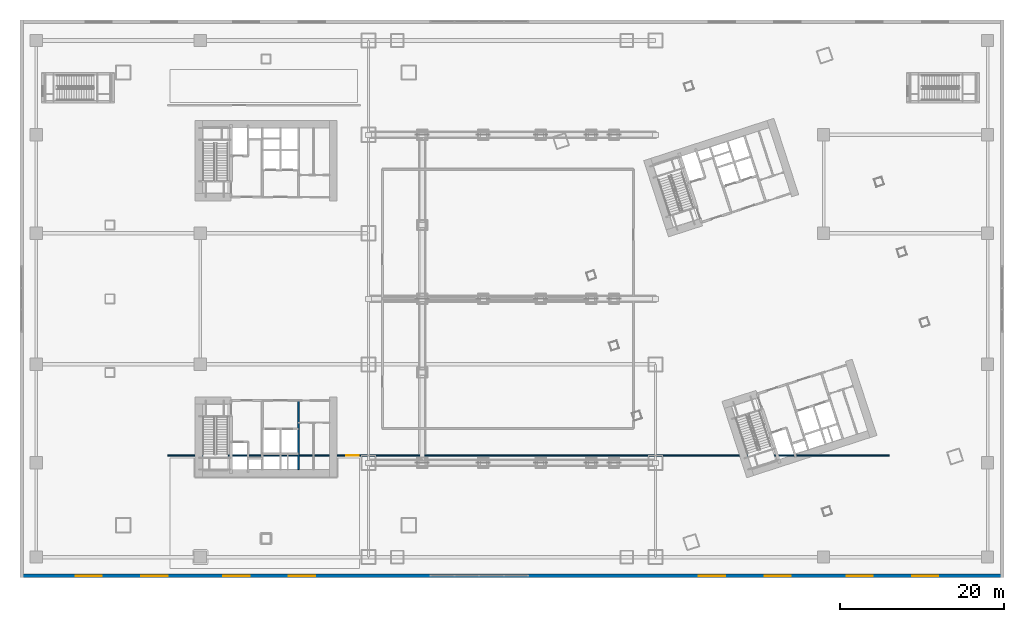
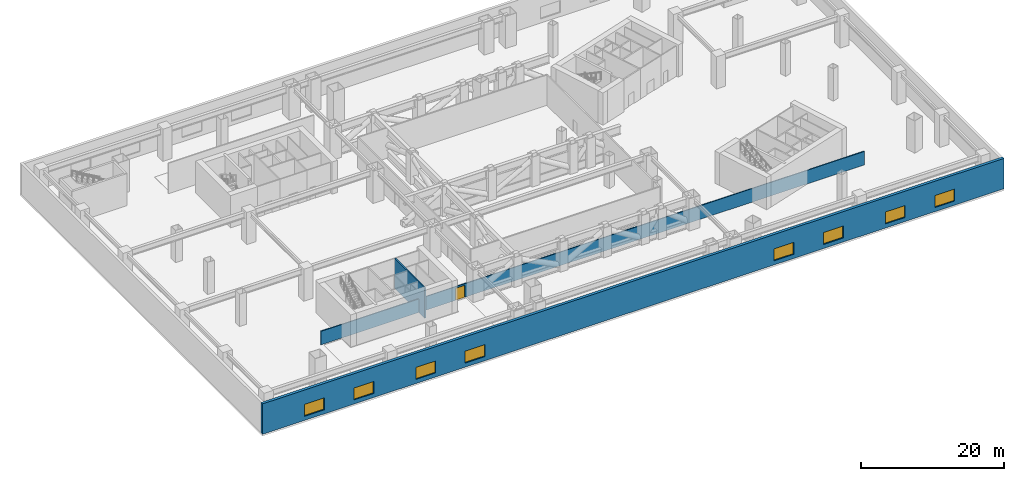
# One storey, part 24 of 34: 8 windows, 3 walls, 1 door, 9 openings.
"""IFC4 building model written with IfcOpenShell, lengths in metres."""

from ifc_helpers import new_model, si_unit, direction, frame, frame_2d, origin, place, context, subcontext, project, spatial, rectangle, extrude, material, layer, layer_set, type_object, element, fill, save


model = new_model("IFC4")

# Units and contexts
model_context = context("Model", 3, precision=1e-05, world=origin(), true_north=direction((0.0, 1.0)))
body_context = subcontext(model_context, "Body", "Model", "MODEL_VIEW")
ifc_project = project(units=[si_unit("LENGTHUNIT", "METRE"), si_unit("AREAUNIT", "SQUARE_METRE"), si_unit("VOLUMEUNIT", "CUBIC_METRE"), si_unit("PLANEANGLEUNIT", "RADIAN"), si_unit("MASSUNIT", "GRAM", prefix="KILO")], contexts=[model_context])

# Site, building, storey
site_placement = place(None, origin())
site = spatial("IfcSite", under=ifc_project, at=site_placement, CompositionType="ELEMENT")
building_placement = place(site_placement, origin())
building = spatial("IfcBuilding", under=site, at=building_placement, Name="Qiaolan Cultural Towers", CompositionType="ELEMENT")
storey_placement = place(building_placement, frame((0.0, 0.0, 16.5)))
storey = spatial("IfcBuildingStorey", under=building, at=storey_placement, Name="L03", CompositionType="ELEMENT", Elevation=16.5)

# Wall, openings, windows
ifc_material_1 = material(Name="Precast Concrete C50 Bush-Hammered Granite Pier", Category="masonry")
ifc_layer_1 = layer(ifc_material_1, 0.449951171875)
ifc_layer_set_1 = layer_set([ifc_layer_1], Name="Precast Concrete C50 Bush-Hammered Granite Pier")
wall_type_1 = type_object("IfcWallType", Name="WL-EXT-POD-450", PredefinedType="SOLIDWALL", material=ifc_layer_set_1)
wall_1_placement = place(storey_placement, frame((120.0, 0.22509765625, 0.0), z_axis=(0.0, 0.0, 1.0), x_axis=(-1.0, 0.0, 0.0)))
wall_1 = element("IfcWall", 1, at=wall_1_placement, inside=storey, type_object=wall_type_1, Name="L03 Podium Precast Facade Wall SOUTH", PredefinedType="SOLIDWALL", context=body_context, shape_type="SweptSolid", body=[
    extrude(rectangle(XDim=120.0, YDim=0.449951171875, at=frame_2d((60.0, 0.0))), origin(), (0.0, 0.0, 1.0), 5.199951171875),
])
opening_1_placement = place(wall_1_placement, frame((8.0, 0.0, 0.699951171875)))
opening_1 = element("IfcOpeningElement", 2, at=opening_1_placement, cuts=wall_1, Name="Opening W-04", PredefinedType="OPENING", context=body_context, shape_type="SweptSolid", body=[
    extrude(rectangle(XDim=3.199951171875, YDim=2.050048828125, at=frame_2d((1.60009765625, 1.02490234375))), frame((0.0, 0.23486328125, 0.0), z_axis=(0.0, -1.0, 0.0), x_axis=(1.0, 0.0, 0.0)), (0.0, 0.0, 1.0), 0.469970703125),
])
opening_2_placement = place(wall_1_placement, frame((16.0, 0.0, 0.699951171875)))
opening_2 = element("IfcOpeningElement", 3, at=opening_2_placement, cuts=wall_1, Name="Opening W-04", PredefinedType="OPENING", context=body_context, shape_type="SweptSolid", body=[
    extrude(rectangle(XDim=3.199951171875, YDim=2.050048828125, at=frame_2d((1.60009765625, 1.02490234375))), frame((0.0, 0.23486328125, 0.0), z_axis=(0.0, -1.0, 0.0), x_axis=(1.0, 0.0, 0.0)), (0.0, 0.0, 1.0), 0.469970703125),
])
opening_3_placement = place(wall_1_placement, frame((26.0, 0.0, 0.699951171875)))
opening_3 = element("IfcOpeningElement", 4, at=opening_3_placement, cuts=wall_1, Name="Opening W-04", PredefinedType="OPENING", context=body_context, shape_type="SweptSolid", body=[
    extrude(rectangle(XDim=3.199951171875, YDim=2.050048828125, at=frame_2d((1.60009765625, 1.02490234375))), frame((0.0, 0.23486328125, 0.0), z_axis=(0.0, -1.0, 0.0), x_axis=(1.0, 0.0, 0.0)), (0.0, 0.0, 1.0), 0.469970703125),
])
opening_4_placement = place(wall_1_placement, frame((34.0, 0.0, 0.699951171875)))
opening_4 = element("IfcOpeningElement", 5, at=opening_4_placement, cuts=wall_1, Name="Opening W-04", PredefinedType="OPENING", context=body_context, shape_type="SweptSolid", body=[
    extrude(rectangle(XDim=3.199951171875, YDim=2.050048828125, at=frame_2d((1.60009765625, 1.02490234375))), frame((0.0, 0.23486328125, 0.0), z_axis=(0.0, -1.0, 0.0), x_axis=(1.0, 0.0, 0.0)), (0.0, 0.0, 1.0), 0.469970703125),
])
opening_5_placement = place(wall_1_placement, frame((84.0, 0.0, 0.699951171875)))
opening_5 = element("IfcOpeningElement", 6, at=opening_5_placement, cuts=wall_1, Name="Opening W-04", PredefinedType="OPENING", context=body_context, shape_type="SweptSolid", body=[
    extrude(rectangle(XDim=3.199951171875, YDim=2.050048828125, at=frame_2d((1.60009765625, 1.02490234375))), frame((0.0, 0.23486328125, 0.0), z_axis=(0.0, -1.0, 0.0), x_axis=(1.0, 0.0, 0.0)), (0.0, 0.0, 1.0), 0.469970703125),
])
opening_6_placement = place(wall_1_placement, frame((92.0, 0.0, 0.699951171875)))
opening_6 = element("IfcOpeningElement", 7, at=opening_6_placement, cuts=wall_1, Name="Opening W-04", PredefinedType="OPENING", context=body_context, shape_type="SweptSolid", body=[
    extrude(rectangle(XDim=3.199951171875, YDim=2.050048828125, at=frame_2d((1.60009765625, 1.02490234375))), frame((0.0, 0.23486328125, 0.0), z_axis=(0.0, -1.0, 0.0), x_axis=(1.0, 0.0, 0.0)), (0.0, 0.0, 1.0), 0.469970703125),
])
opening_7_placement = place(wall_1_placement, frame((102.0, 0.0, 0.699951171875)))
opening_7 = element("IfcOpeningElement", 8, at=opening_7_placement, cuts=wall_1, Name="Opening W-04", PredefinedType="OPENING", context=body_context, shape_type="SweptSolid", body=[
    extrude(rectangle(XDim=3.199951171875, YDim=2.050048828125, at=frame_2d((1.60009765625, 1.02490234375))), frame((0.0, 0.23486328125, 0.0), z_axis=(0.0, -1.0, 0.0), x_axis=(1.0, 0.0, 0.0)), (0.0, 0.0, 1.0), 0.469970703125),
])
opening_8_placement = place(wall_1_placement, frame((110.0, 0.0, 0.699951171875)))
opening_8 = element("IfcOpeningElement", 9, at=opening_8_placement, cuts=wall_1, Name="Opening W-04", PredefinedType="OPENING", context=body_context, shape_type="SweptSolid", body=[
    extrude(rectangle(XDim=3.199951171875, YDim=2.050048828125, at=frame_2d((1.60009765625, 1.02490234375))), frame((0.0, 0.23486328125, 0.0), z_axis=(0.0, -1.0, 0.0), x_axis=(1.0, 0.0, 0.0)), (0.0, 0.0, 1.0), 0.469970703125),
])
ifc_material_2 = material(Name="Thermally Broken Aluminium Triple Low-E Glazing", Category="aluminium")
window_type = type_object("IfcWindowType", Name="WN-POD-3200", PartitioningType="SINGLE_PANEL", PredefinedType="WINDOW", material=ifc_material_2)
window_1_placement = place(opening_1_placement, origin())
window_1 = element("IfcWindow", 10, at=window_1_placement, inside=storey, type_object=window_type, Name="L03 Podium Chicago Window SOUTH-01", OverallHeight=2.050048828125, OverallWidth=3.199951171875, PartitioningType="TRIPLE_PANEL_VERTICAL", PredefinedType="WINDOW", context=body_context, shape_type="SweptSolid", body=[
    extrude(rectangle(XDim=3.199951171875, YDim=2.050048828125, at=frame_2d((1.60009765625, 1.02490234375))), frame((0.0, 0.030029296875, 0.0), z_axis=(0.0, -1.0, 0.0), x_axis=(1.0, 0.0, 0.0)), (0.0, 0.0, 1.0), 0.06005859375),
])
fill(opening_1, window_1)
window_2_placement = place(opening_2_placement, origin())
window_2 = element("IfcWindow", 11, at=window_2_placement, inside=storey, type_object=window_type, Name="L03 Podium Chicago Window SOUTH-02", OverallHeight=2.050048828125, OverallWidth=3.199951171875, PartitioningType="TRIPLE_PANEL_VERTICAL", PredefinedType="WINDOW", context=body_context, shape_type="SweptSolid", body=[
    extrude(rectangle(XDim=3.199951171875, YDim=2.050048828125, at=frame_2d((1.60009765625, 1.02490234375))), frame((0.0, 0.030029296875, 0.0), z_axis=(0.0, -1.0, 0.0), x_axis=(1.0, 0.0, 0.0)), (0.0, 0.0, 1.0), 0.06005859375),
])
fill(opening_2, window_2)
window_3_placement = place(opening_3_placement, origin())
window_3 = element("IfcWindow", 12, at=window_3_placement, inside=storey, type_object=window_type, Name="L03 Podium Chicago Window SOUTH-03", OverallHeight=2.050048828125, OverallWidth=3.199951171875, PartitioningType="TRIPLE_PANEL_VERTICAL", PredefinedType="WINDOW", context=body_context, shape_type="SweptSolid", body=[
    extrude(rectangle(XDim=3.199951171875, YDim=2.050048828125, at=frame_2d((1.60009765625, 1.02490234375))), frame((0.0, 0.030029296875, 0.0), z_axis=(0.0, -1.0, 0.0), x_axis=(1.0, 0.0, 0.0)), (0.0, 0.0, 1.0), 0.06005859375),
])
fill(opening_3, window_3)
window_4_placement = place(opening_4_placement, origin())
window_4 = element("IfcWindow", 13, at=window_4_placement, inside=storey, type_object=window_type, Name="L03 Podium Chicago Window SOUTH-04", OverallHeight=2.050048828125, OverallWidth=3.199951171875, PartitioningType="TRIPLE_PANEL_VERTICAL", PredefinedType="WINDOW", context=body_context, shape_type="SweptSolid", body=[
    extrude(rectangle(XDim=3.199951171875, YDim=2.050048828125, at=frame_2d((1.60009765625, 1.02490234375))), frame((0.0, 0.030029296875, 0.0), z_axis=(0.0, -1.0, 0.0), x_axis=(1.0, 0.0, 0.0)), (0.0, 0.0, 1.0), 0.06005859375),
])
fill(opening_4, window_4)
window_5_placement = place(opening_5_placement, origin())
window_5 = element("IfcWindow", 14, at=window_5_placement, inside=storey, type_object=window_type, Name="L03 Podium Chicago Window SOUTH-05", OverallHeight=2.050048828125, OverallWidth=3.199951171875, PartitioningType="TRIPLE_PANEL_VERTICAL", PredefinedType="WINDOW", context=body_context, shape_type="SweptSolid", body=[
    extrude(rectangle(XDim=3.199951171875, YDim=2.050048828125, at=frame_2d((1.60009765625, 1.02490234375))), frame((0.0, 0.030029296875, 0.0), z_axis=(0.0, -1.0, 0.0), x_axis=(1.0, 0.0, 0.0)), (0.0, 0.0, 1.0), 0.06005859375),
])
fill(opening_5, window_5)
window_6_placement = place(opening_6_placement, origin())
window_6 = element("IfcWindow", 15, at=window_6_placement, inside=storey, type_object=window_type, Name="L03 Podium Chicago Window SOUTH-06", OverallHeight=2.050048828125, OverallWidth=3.199951171875, PartitioningType="TRIPLE_PANEL_VERTICAL", PredefinedType="WINDOW", context=body_context, shape_type="SweptSolid", body=[
    extrude(rectangle(XDim=3.199951171875, YDim=2.050048828125, at=frame_2d((1.60009765625, 1.02490234375))), frame((0.0, 0.030029296875, 0.0), z_axis=(0.0, -1.0, 0.0), x_axis=(1.0, 0.0, 0.0)), (0.0, 0.0, 1.0), 0.06005859375),
])
fill(opening_6, window_6)
window_7_placement = place(opening_7_placement, origin())
window_7 = element("IfcWindow", 16, at=window_7_placement, inside=storey, type_object=window_type, Name="L03 Podium Chicago Window SOUTH-07", OverallHeight=2.050048828125, OverallWidth=3.199951171875, PartitioningType="TRIPLE_PANEL_VERTICAL", PredefinedType="WINDOW", context=body_context, shape_type="SweptSolid", body=[
    extrude(rectangle(XDim=3.199951171875, YDim=2.050048828125, at=frame_2d((1.60009765625, 1.02490234375))), frame((0.0, 0.030029296875, 0.0), z_axis=(0.0, -1.0, 0.0), x_axis=(1.0, 0.0, 0.0)), (0.0, 0.0, 1.0), 0.06005859375),
])
fill(opening_7, window_7)
window_8_placement = place(opening_8_placement, origin())
window_8 = element("IfcWindow", 17, at=window_8_placement, inside=storey, type_object=window_type, Name="L03 Podium Chicago Window SOUTH-08", OverallHeight=2.050048828125, OverallWidth=3.199951171875, PartitioningType="TRIPLE_PANEL_VERTICAL", PredefinedType="WINDOW", context=body_context, shape_type="SweptSolid", body=[
    extrude(rectangle(XDim=3.199951171875, YDim=2.050048828125, at=frame_2d((1.60009765625, 1.02490234375))), frame((0.0, 0.030029296875, 0.0), z_axis=(0.0, -1.0, 0.0), x_axis=(1.0, 0.0, 0.0)), (0.0, 0.0, 1.0), 0.06005859375),
])
fill(opening_8, window_8)

# Wall
ifc_material_3 = material(Name="Concrete C35 Fire Wall", Category="concrete")
ifc_layer_2 = layer(ifc_material_3, 0.199951171875)
ifc_layer_set_2 = layer_set([ifc_layer_2], Name="Concrete C35 Fire Wall")
wall_type_2 = type_object("IfcWallType", Name="WL-FIRE-200", PredefinedType="PARTITIONING", material=ifc_layer_set_2)
wall_2_placement = place(storey_placement, frame((33.949951171875, 21.60009765625, 0.0), z_axis=(0.0, 0.0, 1.0), x_axis=(0.0, -1.0, 0.0)))
element("IfcWall", 18, at=wall_2_placement, inside=storey, type_object=wall_type_2, Name="L03 T1-CS Lift Core East Wall", PredefinedType="PARTITIONING", context=body_context, shape_type="SweptSolid", body=[
    extrude(rectangle(XDim=8.43017578125, YDim=0.199951171875, at=frame_2d((4.215087890625, 0.0))), origin(), (0.0, 0.0, 1.0), 5.18505859375),
])

# Wall, opening, door
ifc_material_4 = material(Name="Autoclaved Aerated Concrete Block B06", Category="concrete")
ifc_layer_3 = layer(ifc_material_4, 0.14990234375)
ifc_layer_set_3 = layer_set([ifc_layer_3], Name="Autoclaved Aerated Concrete Block B06")
wall_type_3 = type_object("IfcWallType", Name="WL-PART-150", PredefinedType="PARTITIONING", material=ifc_layer_set_3)
wall_3_placement = place(storey_placement, frame((18.0, 14.89990234375, 0.0), z_axis=(0.0, 0.0, 1.0), x_axis=(1.0, 0.0, 0.0)))
wall_3 = element("IfcWall", 19, at=wall_3_placement, inside=storey, type_object=wall_type_3, Name="L03 Podium Partition L03-SGW", PredefinedType="PARTITIONING", context=body_context, shape_type="SweptSolid", body=[
    extrude(rectangle(XDim=88.0, YDim=0.14990234375, at=frame_2d((44.0, 0.0))), origin(), (0.0, 0.0, 1.0), 2.324951171875),
])
opening_9_placement = place(wall_3_placement, frame((21.800048828125, 0.0, 0.0)))
opening_9 = element("IfcOpeningElement", 20, at=opening_9_placement, cuts=wall_3, Name="Opening ID-01", PredefinedType="OPENING", context=body_context, shape_type="SweptSolid", body=[
    extrude(rectangle(XDim=1.5, YDim=2.050048828125, at=frame_2d((0.75, 1.02490234375))), frame((0.0, 0.0849609375, 0.0), z_axis=(0.0, -1.0, 0.0), x_axis=(1.0, 0.0, 0.0)), (0.0, 0.0, 1.0), 0.169921875),
])
ifc_material_5 = material(Name="Oak Veneer Solid-Core Double Leaf Door", Category="timber")
door_type = type_object("IfcDoorType", Name="DR-INT-1500", OperationType="NOTDEFINED", PredefinedType="DOOR", material=ifc_material_5)
door_placement = place(opening_9_placement, origin())
door = element("IfcDoor", 21, at=door_placement, inside=storey, type_object=door_type, Name="L03 South Gallery Entrance", OperationType="SINGLE_SWING_LEFT", OverallHeight=2.050048828125, OverallWidth=1.5, PredefinedType="DOOR", context=body_context, shape_type="SweptSolid", body=[
    extrude(rectangle(XDim=1.5, YDim=2.050048828125, at=frame_2d((0.75, 1.02490234375))), frame((0.0, 0.02490234375, 0.0), z_axis=(0.0, -1.0, 0.0), x_axis=(1.0, 0.0, 0.0)), (0.0, 0.0, 1.0), 0.050048828125),
])
fill(opening_9, door)

save(model, "model.ifc")
